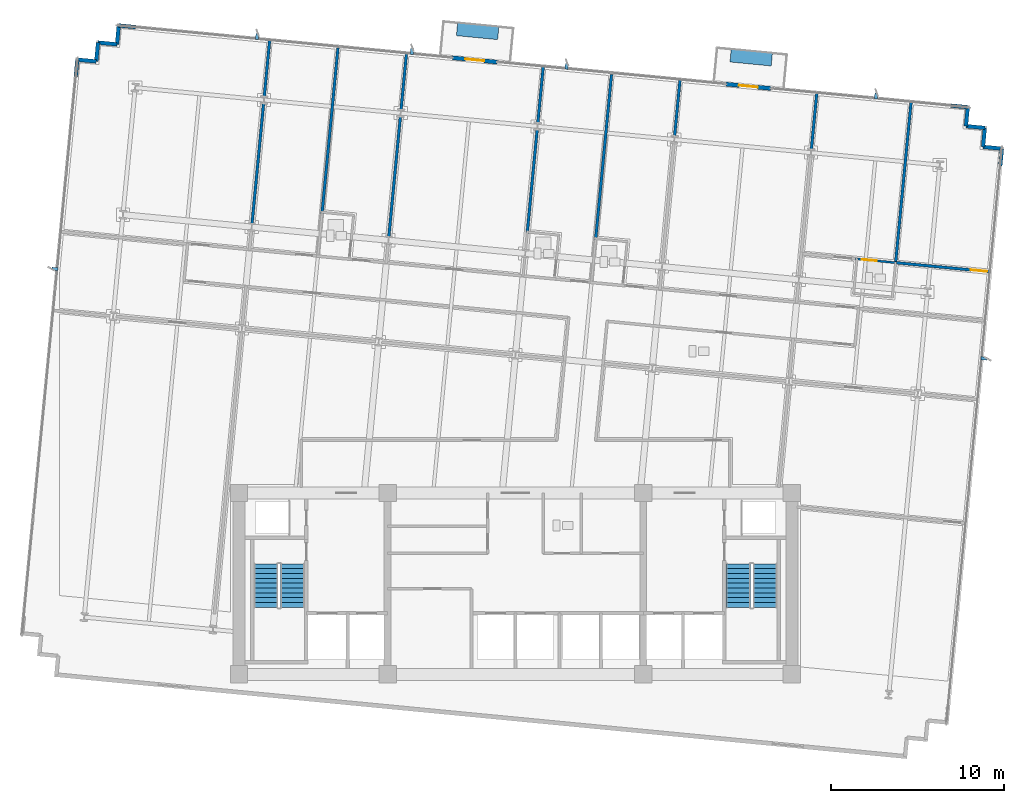
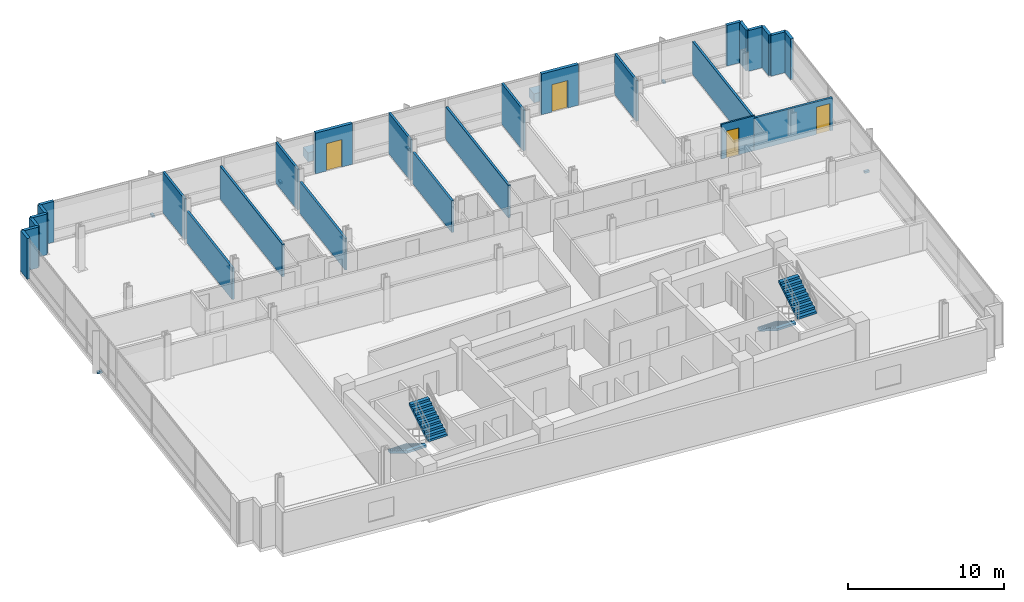
# One storey, part 13 of 17: 27 walls, 8 discrete accessories, 4 doors, 4 stair flights, 4 openings, 2 elements without a shape of their own.
"""IFC4 building model written with IfcOpenShell, lengths in metres."""

from ifc_helpers import new_model, si_unit, direction, frame, frame_2d, origin, origin_2d, place, context, subcontext, project, spatial, polyline, rectangle, outline, extrude, material, layer, layer_set, type_object, element, fill, aggregate, save


model = new_model("IFC4")

# Units and contexts
model_context = context("Model", 3, precision=1e-05, world=origin(), true_north=direction((0.0, 1.0)))
body_context = subcontext(model_context, "Body", "Model", "MODEL_VIEW")
ifc_project = project(units=[si_unit("LENGTHUNIT", "METRE"), si_unit("AREAUNIT", "SQUARE_METRE"), si_unit("VOLUMEUNIT", "CUBIC_METRE"), si_unit("PLANEANGLEUNIT", "RADIAN"), si_unit("MASSUNIT", "GRAM", prefix="KILO")], contexts=[model_context])

# Site, building, storey
site_placement = place(None, origin())
site = spatial("IfcSite", under=ifc_project, at=site_placement, CompositionType="ELEMENT")
building_placement = place(site_placement, origin())
building = spatial("IfcBuilding", under=site, at=building_placement, Name="Solmavex Isthmus Hotel", CompositionType="ELEMENT")
storey_placement = place(building_placement, frame((0.0, 0.0, 173.85009765625)))
storey = spatial("IfcBuildingStorey", under=building, at=storey_placement, Name="L47", CompositionType="ELEMENT", Elevation=173.85009765625)

# Wall, opening, door
ifc_material_1 = material(Name="Precast Concrete C40/50", Category="concrete")
ifc_layer_1 = layer(ifc_material_1, 0.25)
ifc_layer_set_1 = layer_set([ifc_layer_1], Name="Precast Concrete C40/50")
wall_type_1 = type_object("IfcWallType", Name="EW-TWR-250", PredefinedType="STANDARD", material=ifc_layer_set_1)
wall_1_placement = place(storey_placement, frame((-3.64404296875, 22.698974609375, 0.0), z_axis=(0.0, 0.0, 1.0), x_axis=(0.995393186867, -0.095877022999, 0.0)))
wall_1 = element("IfcWall", 1, at=wall_1_placement, inside=storey, type_object=wall_type_1, Name="Exterior Balcony Door Wall L47-2", PredefinedType="STANDARD", context=body_context, shape_type="SweptSolid", body=[
    extrude(rectangle(XDim=2.599853515625, YDim=0.239990234375, at=frame_2d((1.2998046875, 0.0))), origin(), (0.0, 0.0, 1.0), 3.18994140625),
])
opening_1_placement = place(wall_1_placement, frame((0.75, 0.0, 0.0)))
opening_1 = element("IfcOpeningElement", 2, at=opening_1_placement, cuts=wall_1, Name="Opening ED-02", PredefinedType="OPENING", context=body_context, shape_type="SweptSolid", body=[
    extrude(rectangle(XDim=1.10009765625, YDim=2.14990234375, at=frame_2d((0.550048828125, 1.074951171875))), frame((0.0, 0.1298828125, 0.0), z_axis=(0.0, -1.0, 0.0), x_axis=(1.0, 0.0, 0.0)), (0.0, 0.0, 1.0), 0.260009765625),
])
ifc_material_2 = material(Name="Aluminium alloy 6063-T6", Category="aluminium")
door_type_1 = type_object("IfcDoorType", Name="EDR-BALC-1100", OperationType="NOTDEFINED", PredefinedType="DOOR", material=ifc_material_2)
door_1_placement = place(opening_1_placement, origin())
door_1 = element("IfcDoor", 3, at=door_1_placement, inside=storey, type_object=door_type_1, Name="Balcony & Terrace Glazed Door L47-2", OperationType="SINGLE_SWING_RIGHT", OverallHeight=2.14990234375, OverallWidth=1.10009765625, PredefinedType="DOOR", context=body_context, shape_type="SweptSolid", body=[
    extrude(rectangle(XDim=1.10009765625, YDim=2.14990234375, at=frame_2d((0.550048828125, 1.074951171875))), frame((0.0, 0.02490234375, 0.0), z_axis=(0.0, -1.0, 0.0), x_axis=(1.0, 0.0, 0.0)), (0.0, 0.0, 1.0), 0.050048828125),
])
fill(opening_1, door_1)

wall_2_placement = place(storey_placement, frame((12.194580078125, 21.173828125, 0.0), z_axis=(0.0, 0.0, 1.0), x_axis=(0.995394049959, -0.095868061976, 0.0)))
wall_2 = element("IfcWall", 4, at=wall_2_placement, inside=storey, type_object=wall_type_1, Name="Exterior Balcony Door Wall L47-3", PredefinedType="STANDARD", context=body_context, shape_type="SweptSolid", body=[
    extrude(rectangle(XDim=2.60009765625, YDim=0.239990234375, at=frame_2d((1.300048828125, 0.0))), origin(), (0.0, 0.0, 1.0), 3.18994140625),
])
opening_2_placement = place(wall_2_placement, frame((0.75, 0.0, 0.0)))
opening_2 = element("IfcOpeningElement", 5, at=opening_2_placement, cuts=wall_2, Name="Opening ED-02", PredefinedType="OPENING", context=body_context, shape_type="SweptSolid", body=[
    extrude(rectangle(XDim=1.10009765625, YDim=2.14990234375, at=frame_2d((0.550048828125, 1.074951171875))), frame((0.0, 0.1298828125, 0.0), z_axis=(0.0, -1.0, 0.0), x_axis=(1.0, 0.0, 0.0)), (0.0, 0.0, 1.0), 0.260009765625),
])
door_2_placement = place(opening_2_placement, origin())
door_2 = element("IfcDoor", 6, at=door_2_placement, inside=storey, type_object=door_type_1, Name="Balcony & Terrace Glazed Door L47-3", OperationType="SINGLE_SWING_LEFT", OverallHeight=2.14990234375, OverallWidth=1.10009765625, PredefinedType="DOOR", context=body_context, shape_type="SweptSolid", body=[
    extrude(rectangle(XDim=1.10009765625, YDim=2.14990234375, at=frame_2d((0.550048828125, 1.074951171875))), frame((0.0, 0.02490234375, 0.0), z_axis=(0.0, -1.0, 0.0), x_axis=(1.0, 0.0, 0.0)), (0.0, 0.0, 1.0), 0.050048828125),
])
fill(opening_2, door_2)

# Walls
wall_3_placement = place(storey_placement, frame((-25.46142578125, 21.60498046875, 0.0), z_axis=(0.0, 0.0, 1.0), x_axis=(0.095937974524, 0.995387314086, 0.0)))
element("IfcWall", 7, at=wall_3_placement, inside=storey, type_object=wall_type_1, Name="Serrated Corner Facade Panel L47-07", PredefinedType="STANDARD", context=body_context, shape_type="SweptSolid", body=[
    extrude(rectangle(XDim=0.989990234375, YDim=0.219970703125, at=frame_2d((0.4951171875, 0.0))), origin(), (0.0, 0.0, 1.0), 3.18994140625),
])
for number, where, z_axis, x_axis, name in (
    (8, (-25.366455078125, 22.59033203125, 0.0), (0.0, 0.0, 1.0), (0.995414313875, -0.095657429048, 0.0), "Serrated Corner Facade Panel L47-08"),
    (9, (-24.271484375, 22.485107421875, 0.0), (0.0, 0.0, 1.0), (0.095657429048, 0.995414313875, 0.0), "Serrated Corner Facade Panel L47-09"),
    (10, (-24.166259765625, 23.580078125, 0.0), (0.0, 0.0, 1.0), (0.995393156894, -0.095877334176, 0.0), "Serrated Corner Facade Panel L47-10"),
    (11, (-23.0712890625, 23.474609375, 0.0), (0.0, 0.0, 1.0), (0.095877334176, 0.995393156894, 0.0), "Serrated Corner Facade Panel L47-11"),
):
    element("IfcWall", number, at=place(storey_placement, frame(where, z_axis=z_axis, x_axis=x_axis)), inside=storey, type_object=wall_type_1, Name=name, PredefinedType="STANDARD", context=body_context, shape_type="SweptSolid", body=[
        extrude(rectangle(XDim=1.10009765625, YDim=0.219970703125, at=frame_2d((0.550048828125, 0.0))), origin(), (0.0, 0.0, 1.0), 3.18994140625),
    ])
for number, where, z_axis, x_axis, name in (
    (12, (-22.9658203125, 24.569580078125, 0.0), (0.0, 0.0, 1.0), (0.995387314086, -0.095937974524, 0.0), "Serrated Corner Facade Panel L47-12"),
    (13, (25.201416015625, 19.931396484375, 0.0), (0.0, 0.0, 1.0), (0.99541083642, -0.095693608655, 0.0), "Serrated Corner Facade Panel L47-14"),
):
    element("IfcWall", number, at=place(storey_placement, frame(where, z_axis=z_axis, x_axis=x_axis)), inside=storey, type_object=wall_type_1, Name=name, PredefinedType="STANDARD", context=body_context, shape_type="SweptSolid", body=[
        extrude(rectangle(XDim=0.989990234375, YDim=0.219970703125, at=frame_2d((0.4951171875, 0.0))), origin(), (0.0, 0.0, 1.0), 3.18994140625),
    ])
wall_4_placement = place(storey_placement, frame((26.186767578125, 19.836669921875, 0.0), z_axis=(0.0, 0.0, 1.0), x_axis=(-0.095657429048, -0.995414313875, 0.0)))
element("IfcWall", 14, at=wall_4_placement, inside=storey, type_object=wall_type_1, Name="Serrated Corner Facade Panel L47-15", PredefinedType="STANDARD", context=body_context, shape_type="SweptSolid", body=[
    extrude(rectangle(XDim=1.10009765625, YDim=0.219970703125, at=frame_2d((0.550048828125, 0.0))), origin(), (0.0, 0.0, 1.0), 3.18994140625),
])
wall_5_placement = place(storey_placement, frame((26.08154296875, 18.74169921875, 0.0), z_axis=(0.0, 0.0, 1.0), x_axis=(0.995391116058, -0.095898519656, 0.0)))
element("IfcWall", 15, at=wall_5_placement, inside=storey, type_object=wall_type_1, Name="Serrated Corner Facade Panel L47-16", PredefinedType="STANDARD", context=body_context, shape_type="SweptSolid", body=[
    extrude(rectangle(XDim=1.099853515625, YDim=0.219970703125, at=frame_2d((0.5498046875, 0.0))), origin(), (0.0, 0.0, 1.0), 3.18994140625),
])
wall_6_placement = place(storey_placement, frame((27.17626953125, 18.63623046875, 0.0), z_axis=(0.0, 0.0, 1.0), x_axis=(-0.095657429048, -0.995414313875, 0.0)))
element("IfcWall", 16, at=wall_6_placement, inside=storey, type_object=wall_type_1, Name="Serrated Corner Facade Panel L47-17", PredefinedType="STANDARD", context=body_context, shape_type="SweptSolid", body=[
    extrude(rectangle(XDim=1.10009765625, YDim=0.219970703125, at=frame_2d((0.550048828125, 0.0))), origin(), (0.0, 0.0, 1.0), 3.18994140625),
])
wall_7_placement = place(storey_placement, frame((27.071044921875, 17.541259765625, 0.0), z_axis=(0.0, 0.0, 1.0), x_axis=(0.995391116058, -0.095898519656, 0.0)))
element("IfcWall", 17, at=wall_7_placement, inside=storey, type_object=wall_type_1, Name="Serrated Corner Facade Panel L47-18", PredefinedType="STANDARD", context=body_context, shape_type="SweptSolid", body=[
    extrude(rectangle(XDim=1.099853515625, YDim=0.219970703125, at=frame_2d((0.5498046875, 0.0))), origin(), (0.0, 0.0, 1.0), 3.18994140625),
])
wall_8_placement = place(storey_placement, frame((28.165771484375, 17.435791015625, 0.0), z_axis=(0.0, 0.0, 1.0), x_axis=(-0.095693608655, -0.99541083642, 0.0)))
element("IfcWall", 18, at=wall_8_placement, inside=storey, type_object=wall_type_1, Name="Serrated Corner Facade Panel L47-19", PredefinedType="STANDARD", context=body_context, shape_type="SweptSolid", body=[
    extrude(rectangle(XDim=0.989990234375, YDim=0.219970703125, at=frame_2d((0.4951171875, 0.0))), origin(), (0.0, 0.0, 1.0), 3.18994140625),
])
ifc_material_3 = material(Name="Gypsum plasterboard lining", Category="gypsum")
ifc_layer_2 = layer(ifc_material_3, 0.159912109375)
ifc_layer_set_2 = layer_set([ifc_layer_2], Name="Gypsum plasterboard lining")
wall_type_2 = type_object("IfcWallType", Name="IW-COMP-160", PredefinedType="PARTITIONING", material=ifc_layer_set_2)
wall_9_placement = place(storey_placement, frame((-14.57958984375, 20.0791015625, 0.0), z_axis=(0.0, 0.0, 1.0), x_axis=(-0.095849846802, -0.995395804124, 0.0)))
element("IfcWall", 19, at=wall_9_placement, inside=storey, type_object=wall_type_2, Name="Interior Partition Wall W-L47-P027", PredefinedType="PARTITIONING", context=body_context, shape_type="SweptSolid", body=[
    extrude(rectangle(XDim=7.040283203125, YDim=0.159912109375, at=frame_2d((3.52001953125, 0.0))), origin(), (0.0, 0.0, 1.0), 2.4794921875),
])
wall_10_placement = place(storey_placement, frame((-14.225341796875, 23.758056640625, 0.0), z_axis=(0.0, 0.0, 1.0), x_axis=(-0.095859866796, -0.995394839216, 0.0)))
element("IfcWall", 20, at=wall_10_placement, inside=storey, type_object=wall_type_2, Name="Interior Partition Wall W-L47-P028", PredefinedType="PARTITIONING", context=body_context, shape_type="SweptSolid", body=[
    extrude(rectangle(XDim=3.343994140625, YDim=0.159912109375, at=frame_2d((1.671875, 0.0))), origin(), (0.0, 0.0, 1.0), 3.18994140625),
])
wall_11_placement = place(storey_placement, frame((-10.277099609375, 23.25732421875, 0.0), z_axis=(0.0, 0.0, 1.0), x_axis=(-0.09586164433, -0.995394668032, 0.0)))
element("IfcWall", 21, at=wall_11_placement, inside=storey, type_object=wall_type_2, Name="Interior Partition Wall W-L47-P030", PredefinedType="PARTITIONING", context=body_context, shape_type="SweptSolid", body=[
    extrude(rectangle(XDim=9.632080078125, YDim=0.159912109375, at=frame_2d((4.81591796875, 0.0))), origin(), (0.0, 0.0, 1.0), 2.557373046875),
])
wall_12_placement = place(storey_placement, frame((-6.66015625, 19.31640625, 0.0), z_axis=(0.0, 0.0, 1.0), x_axis=(-0.095853155488, -0.995395485515, 0.0)))
element("IfcWall", 22, at=wall_12_placement, inside=storey, type_object=wall_type_2, Name="Interior Partition Wall W-L47-P035", PredefinedType="PARTITIONING", context=body_context, shape_type="SweptSolid", body=[
    extrude(rectangle(XDim=7.0400390625, YDim=0.159912109375, at=frame_2d((3.52001953125, 0.0))), origin(), (0.0, 0.0, 1.0), 2.4794921875),
])
wall_13_placement = place(storey_placement, frame((-6.305908203125, 22.995361328125, 0.0), z_axis=(0.0, 0.0, 1.0), x_axis=(-0.095859866796, -0.995394839216, 0.0)))
element("IfcWall", 23, at=wall_13_placement, inside=storey, type_object=wall_type_2, Name="Interior Partition Wall W-L47-P036", PredefinedType="PARTITIONING", context=body_context, shape_type="SweptSolid", body=[
    extrude(rectangle(XDim=3.343994140625, YDim=0.159912109375, at=frame_2d((1.671875, 0.0))), origin(), (0.0, 0.0, 1.0), 3.18994140625),
])
wall_14_placement = place(storey_placement, frame((1.259033203125, 18.553955078125, 0.0), z_axis=(0.0, 0.0, 1.0), x_axis=(-0.095826863488, -0.995398016993, 0.0)))
element("IfcWall", 24, at=wall_14_placement, inside=storey, type_object=wall_type_2, Name="Interior Partition Wall W-L47-P037", PredefinedType="PARTITIONING", context=body_context, shape_type="SweptSolid", body=[
    extrude(rectangle(XDim=6.055908203125, YDim=0.159912109375, at=frame_2d((3.02783203125, 0.0))), origin(), (0.0, 0.0, 1.0), 2.4794921875),
])
wall_15_placement = place(storey_placement, frame((1.61328125, 22.23291015625, 0.0), z_axis=(0.0, 0.0, 1.0), x_axis=(-0.095787528641, -0.99540180297, 0.0)))
element("IfcWall", 25, at=wall_15_placement, inside=storey, type_object=wall_type_2, Name="Interior Partition Wall W-L47-P038", PredefinedType="PARTITIONING", context=body_context, shape_type="SweptSolid", body=[
    extrude(rectangle(XDim=3.343994140625, YDim=0.159912109375, at=frame_2d((1.671875, 0.0))), origin(), (0.0, 0.0, 1.0), 3.18994140625),
])
wall_16_placement = place(storey_placement, frame((5.5615234375, 21.732177734375, 0.0), z_axis=(0.0, 0.0, 1.0), x_axis=(-0.09583653035, -0.995397086318, 0.0)))
element("IfcWall", 26, at=wall_16_placement, inside=storey, type_object=wall_type_2, Name="Interior Partition Wall W-L47-P043", PredefinedType="PARTITIONING", context=body_context, shape_type="SweptSolid", body=[
    extrude(rectangle(XDim=9.632080078125, YDim=0.159912109375, at=frame_2d((4.81591796875, 0.0))), origin(), (0.0, 0.0, 1.0), 2.557373046875),
])
for number, where, z_axis, x_axis, name in (
    (27, (9.53271484375, 21.470458984375, 0.0), (0.0, 0.0, 1.0), (-0.095859866796, -0.995394839216, 0.0), "Interior Partition Wall W-L47-P049"),
    (28, (17.4521484375, 20.707763671875, 0.0), (0.0, 0.0, 1.0), (-0.095859866796, -0.995394839216, 0.0), "Interior Partition Wall W-L47-P053"),
):
    element("IfcWall", number, at=place(storey_placement, frame(where, z_axis=z_axis, x_axis=x_axis)), inside=storey, type_object=wall_type_2, Name=name, PredefinedType="PARTITIONING", context=body_context, shape_type="SweptSolid", body=[
        extrude(rectangle(XDim=3.343994140625, YDim=0.159912109375, at=frame_2d((1.671875, 0.0))), origin(), (0.0, 0.0, 1.0), 3.18994140625),
    ])

# Wall, opening, door
wall_17_placement = place(storey_placement, frame((21.97119140625, 10.83935546875, 0.0), z_axis=(0.0, 0.0, 1.0), x_axis=(0.995393338962, -0.095875443934, 0.0)))
wall_17 = element("IfcWall", 29, at=wall_17_placement, inside=storey, type_object=wall_type_2, Name="Interior Partition Wall W-L47-P055", PredefinedType="PARTITIONING", context=body_context, shape_type="SweptSolid", body=[
    extrude(rectangle(XDim=5.56396484375, YDim=0.159912109375, at=frame_2d((2.781982421875, 0.0))), origin(), (0.0, 0.0, 1.0), 2.557373046875),
])
opening_3_placement = place(wall_17_placement, frame((4.404052734375, 0.0, 0.0)))
opening_3 = element("IfcOpeningElement", 30, at=opening_3_placement, cuts=wall_17, Name="Opening ID-C095", PredefinedType="OPENING", context=body_context, shape_type="SweptSolid", body=[
    extrude(rectangle(XDim=0.949951171875, YDim=2.14990234375, at=frame_2d((0.47509765625, 1.074951171875))), frame((0.0, 0.08984375, 0.0), z_axis=(0.0, -1.0, 0.0), x_axis=(1.0, 0.0, 0.0)), (0.0, 0.0, 1.0), 0.179931640625),
])
ifc_material_4 = material(Name="Hardwood timber", Category="wood")
door_type_2 = type_object("IfcDoorType", Name="IDR-FD60-0950", OperationType="NOTDEFINED", PredefinedType="DOOR", material=ifc_material_4)
door_3_placement = place(opening_3_placement, origin())
door_3 = element("IfcDoor", 31, at=door_3_placement, inside=storey, type_object=door_type_2, Name="Ambassador Panorama Suite Panorama Sitting Study Door L47-13", OperationType="SINGLE_SWING_LEFT", OverallHeight=2.14990234375, OverallWidth=0.949951171875, PredefinedType="DOOR", context=body_context, shape_type="SweptSolid", body=[
    extrude(rectangle(XDim=0.949951171875, YDim=2.14990234375, at=frame_2d((0.47509765625, 1.074951171875))), frame((0.0, 0.02490234375, 0.0), z_axis=(0.0, -1.0, 0.0), x_axis=(1.0, 0.0, 0.0)), (0.0, 0.0, 1.0), 0.050048828125),
])
fill(opening_3, door_3)

# Wall
wall_18_placement = place(storey_placement, frame((22.910888671875, 20.18212890625, 0.0), z_axis=(0.0, 0.0, 1.0), x_axis=(-0.095845110289, -0.995396260207, 0.0)))
element("IfcWall", 32, at=wall_18_placement, inside=storey, type_object=wall_type_2, Name="Interior Partition Wall W-L47-P060", PredefinedType="PARTITIONING", context=body_context, shape_type="SweptSolid", body=[
    extrude(rectangle(XDim=9.429931640625, YDim=0.159912109375, at=frame_2d((4.71484375, 0.0))), origin(), (0.0, 0.0, 1.0), 2.557373046875),
])

# Wall, opening, door
ifc_layer_3 = layer(ifc_material_3, 0.1201171875)
ifc_layer_set_3 = layer_set([ifc_layer_3], Name="Gypsum plasterboard lining")
wall_type_3 = type_object("IfcWallType", Name="IW-PART-120", PredefinedType="PARTITIONING", material=ifc_layer_set_3)
wall_19_placement = place(storey_placement, frame((22.05078125, 10.83154296875, 0.0), z_axis=(0.0, 0.0, 1.0), x_axis=(-0.995398273854, 0.095824195322, 0.0)))
wall_19 = element("IfcWall", 33, at=wall_19_placement, inside=storey, type_object=wall_type_3, Name="Interior Partition Wall W-L47-P061", PredefinedType="PARTITIONING", context=body_context, shape_type="SweptSolid", body=[
    extrude(rectangle(XDim=2.3720703125, YDim=0.1201171875, at=frame_2d((1.18603515625, 0.0))), origin(), (0.0, 0.0, 1.0), 2.718017578125),
])
opening_4_placement = place(wall_19_placement, frame((1.14599609375, 0.0, 0.0)))
opening_4 = element("IfcOpeningElement", 34, at=opening_4_placement, cuts=wall_19, Name="Opening ID-U085", PredefinedType="OPENING", context=body_context, shape_type="SweptSolid", body=[
    extrude(rectangle(XDim=0.85009765625, YDim=2.10009765625, at=frame_2d((0.425048828125, 1.050048828125))), frame((0.0, 0.070068359375, 0.0), z_axis=(0.0, -1.0, 0.0), x_axis=(1.0, 0.0, 0.0)), (0.0, 0.0, 1.0), 0.14013671875),
])
door_type_3 = type_object("IfcDoorType", Name="IDR-UNR-0850", OperationType="NOTDEFINED", PredefinedType="DOOR", material=ifc_material_4)
door_4_placement = place(opening_4_placement, frame((0.85009765625, 0.0, 0.0), z_axis=(0.0, 0.0, 1.0), x_axis=(-1.0, 0.0, 0.0)))
door_4 = element("IfcDoor", 35, at=door_4_placement, inside=storey, type_object=door_type_3, Name="En-suite Bathroom Door L47-14", OperationType="SINGLE_SWING_RIGHT", OverallHeight=2.10009765625, OverallWidth=0.85009765625, PredefinedType="DOOR", context=body_context, shape_type="SweptSolid", body=[
    extrude(rectangle(XDim=0.85009765625, YDim=2.10009765625, at=frame_2d((0.425048828125, 1.050048828125))), frame((0.0, 0.02490234375, 0.0), z_axis=(0.0, -1.0, 0.0), x_axis=(1.0, 0.0, 0.0)), (0.0, 0.0, 1.0), 0.050048828125),
])
fill(opening_4, door_4)

# Stair, stair flights
ifc_material_5 = material(Name="Concrete C40/50", Category="concrete")
stair_type_1 = type_object("IfcStairType", Name="STR-ST-1", PredefinedType="HALF_TURN_STAIR", material=ifc_material_5)
stair_1_placement = place(storey_placement, origin())
stair_1 = element("IfcStair", 36, at=stair_1_placement, inside=storey, type_object=stair_type_1, Name="L47 Protected Exit Stair ST-1", PredefinedType="HALF_TURN_STAIR")
stair_flight_type_1 = type_object("IfcStairFlightType", Name="SFL-ST-1", PredefinedType="STRAIGHT", material=ifc_material_5)
stair_flight_1_placement = place(storey_placement, frame((-14.449951171875, -6.60009765625, 0.0), z_axis=(0.0, 0.0, 1.0), x_axis=(0.0, -1.0, 0.0)))
stair_flight_1 = element("IfcStairFlight", 37, at=stair_flight_1_placement, type_object=stair_flight_type_1, Name="ST-1 flight 1", NumberOfRisers=10, NumberOfTreads=9, PredefinedType="STRAIGHT", RiserHeight=0.1725, TreadLength=0.28, context=body_context, shape_type="SweptSolid", body=[
    extrude(outline(polyline([(0.0, 0.0), (0.0, 0.172607421875), (0.280029296875, 0.172607421875), (0.280029296875, 0.344970703125), (0.56005859375, 0.344970703125), (0.56005859375, 0.517578125), (0.840087890625, 0.517578125), (0.840087890625, 0.68994140625), (1.1201171875, 0.68994140625), (1.1201171875, 0.862548828125), (1.39990234375, 0.862548828125), (1.39990234375, 1.034912109375), (1.679931640625, 1.034912109375), (1.679931640625, 1.20751953125), (1.9599609375, 1.20751953125), (1.9599609375, 1.3798828125), (2.239990234375, 1.3798828125), (2.239990234375, 1.552490234375), (2.52001953125, 1.552490234375), (2.52001953125, 1.72509765625), (2.52001953125, 1.37646484375), (0.285888671875, 0.0), (0.0, 0.0)])), frame((0.0, 0.699951171875, 0.0), z_axis=(0.0, -1.0, 0.0), x_axis=(1.0, 0.0, 0.0)), (0.0, 0.0, 1.0), 1.39990234375),
])
stair_flight_2_placement = place(storey_placement, frame((-12.89990234375, -9.1201171875, 1.724853515625), z_axis=(0.0, 0.0, 1.0), x_axis=(0.0, 1.0, 0.0)))
stair_flight_2 = element("IfcStairFlight", 38, at=stair_flight_2_placement, type_object=stair_flight_type_1, Name="ST-1 flight 2", NumberOfRisers=10, NumberOfTreads=9, PredefinedType="STRAIGHT", RiserHeight=0.1725, TreadLength=0.28, context=body_context, shape_type="SweptSolid", body=[
    extrude(outline(polyline([(0.0, 0.0), (0.0, 0.172607421875), (0.280029296875, 0.172607421875), (0.280029296875, 0.344970703125), (0.56005859375, 0.344970703125), (0.56005859375, 0.517578125), (0.840087890625, 0.517578125), (0.840087890625, 0.68994140625), (1.1201171875, 0.68994140625), (1.1201171875, 0.862548828125), (1.39990234375, 0.862548828125), (1.39990234375, 1.034912109375), (1.679931640625, 1.034912109375), (1.679931640625, 1.20751953125), (1.9599609375, 1.20751953125), (1.9599609375, 1.3798828125), (2.239990234375, 1.3798828125), (2.239990234375, 1.552490234375), (2.52001953125, 1.552490234375), (2.52001953125, 1.72509765625), (2.52001953125, 1.37646484375), (0.285888671875, 0.0), (0.0, 0.0)])), frame((0.0, 0.699951171875, 0.0), z_axis=(0.0, -1.0, 0.0), x_axis=(1.0, 0.0, 0.0)), (0.0, 0.0, 1.0), 1.39990234375),
])
aggregate(stair_1, [stair_flight_1, stair_flight_2])

stair_type_2 = type_object("IfcStairType", Name="STR-ST-2", PredefinedType="HALF_TURN_STAIR", material=ifc_material_5)
stair_2_placement = place(storey_placement, origin())
stair_2 = element("IfcStair", 39, at=stair_2_placement, inside=storey, type_object=stair_type_2, Name="L47 Protected Exit Stair ST-2", PredefinedType="HALF_TURN_STAIR")
stair_flight_type_2 = type_object("IfcStairFlightType", Name="SFL-ST-2", PredefinedType="STRAIGHT", material=ifc_material_5)
stair_flight_3_placement = place(storey_placement, frame((12.89990234375, -6.60009765625, 0.0), z_axis=(0.0, 0.0, 1.0), x_axis=(0.0, -1.0, 0.0)))
stair_flight_3 = element("IfcStairFlight", 40, at=stair_flight_3_placement, type_object=stair_flight_type_2, Name="ST-2 flight 1", NumberOfRisers=10, NumberOfTreads=9, PredefinedType="STRAIGHT", RiserHeight=0.1725, TreadLength=0.28, context=body_context, shape_type="SweptSolid", body=[
    extrude(outline(polyline([(0.0, 0.0), (0.0, 0.172607421875), (0.280029296875, 0.172607421875), (0.280029296875, 0.344970703125), (0.56005859375, 0.344970703125), (0.56005859375, 0.517578125), (0.840087890625, 0.517578125), (0.840087890625, 0.68994140625), (1.1201171875, 0.68994140625), (1.1201171875, 0.862548828125), (1.39990234375, 0.862548828125), (1.39990234375, 1.034912109375), (1.679931640625, 1.034912109375), (1.679931640625, 1.20751953125), (1.9599609375, 1.20751953125), (1.9599609375, 1.3798828125), (2.239990234375, 1.3798828125), (2.239990234375, 1.552490234375), (2.52001953125, 1.552490234375), (2.52001953125, 1.72509765625), (2.52001953125, 1.37646484375), (0.285888671875, 0.0), (0.0, 0.0)])), frame((0.0, 0.699951171875, 0.0), z_axis=(0.0, -1.0, 0.0), x_axis=(1.0, 0.0, 0.0)), (0.0, 0.0, 1.0), 1.39990234375),
])
stair_flight_4_placement = place(storey_placement, frame((14.449951171875, -9.1201171875, 1.724853515625), z_axis=(0.0, 0.0, 1.0), x_axis=(0.0, 1.0, 0.0)))
stair_flight_4 = element("IfcStairFlight", 41, at=stair_flight_4_placement, type_object=stair_flight_type_2, Name="ST-2 flight 2", NumberOfRisers=10, NumberOfTreads=9, PredefinedType="STRAIGHT", RiserHeight=0.1725, TreadLength=0.28, context=body_context, shape_type="SweptSolid", body=[
    extrude(outline(polyline([(0.0, 0.0), (0.0, 0.172607421875), (0.280029296875, 0.172607421875), (0.280029296875, 0.344970703125), (0.56005859375, 0.344970703125), (0.56005859375, 0.517578125), (0.840087890625, 0.517578125), (0.840087890625, 0.68994140625), (1.1201171875, 0.68994140625), (1.1201171875, 0.862548828125), (1.39990234375, 0.862548828125), (1.39990234375, 1.034912109375), (1.679931640625, 1.034912109375), (1.679931640625, 1.20751953125), (1.9599609375, 1.20751953125), (1.9599609375, 1.3798828125), (2.239990234375, 1.3798828125), (2.239990234375, 1.552490234375), (2.52001953125, 1.552490234375), (2.52001953125, 1.72509765625), (2.52001953125, 1.37646484375), (0.285888671875, 0.0), (0.0, 0.0)])), frame((0.0, 0.699951171875, 0.0), z_axis=(0.0, -1.0, 0.0), x_axis=(1.0, 0.0, 0.0)), (0.0, 0.0, 1.0), 1.39990234375),
])
aggregate(stair_2, [stair_flight_3, stair_flight_4])

# Discrete accessories
ifc_material_6 = material(Name="Steel ASTM A572 Grade 50", Category="steel")
discrete_accessory_type_1 = type_object("IfcDiscreteAccessoryType", Name="ACC-BRK-FIN", PredefinedType="BRACKET", material=ifc_material_6)
for number, where, z_axis, x_axis, name in (
    (42, (-14.950439453125, 23.92822265625, -0.169921875), (0.0, 0.0, 1.0), (0.09584575252, 0.995396198367, 0.0), "Facade Fin Support Bracket L47-N1"),
    (43, (-5.99169921875, 23.065673828125, -0.169921875), (0.0, 0.0, 1.0), (0.09584575252, 0.995396198367, 0.0), "Facade Fin Support Bracket L47-N2"),
    (44, (2.966796875, 22.203125, -0.169921875), (0.0, 0.0, 1.0), (0.09584575252, 0.995396198367, 0.0), "Facade Fin Support Bracket L47-N3"),
    (45, (20.8837890625, 20.477783203125, -0.169921875), (0.0, 0.0, 1.0), (0.09584575252, 0.995396198367, 0.0), "Facade Fin Support Bracket L47-N4"),
    (46, (-26.664306640625, 10.468994140625, -0.169921875), (0.0, 0.0, 1.0), (-0.995396198367, 0.09584575252, 0.0), "Facade Fin Support Bracket L47-W1"),
    (47, (27.126953125, 5.28955078125, -0.169921875), (0.0, 0.0, 1.0), (0.995396198367, -0.09584575252, 0.0), "Facade Fin Support Bracket L47-E1"),
):
    element("IfcDiscreteAccessory", number, at=place(storey_placement, frame(where, z_axis=z_axis, x_axis=x_axis)), inside=storey, type_object=discrete_accessory_type_1, Name=name, PredefinedType="BRACKET", context=body_context, shape_type="SweptSolid", body=[
        extrude(rectangle(XDim=0.340087890625, YDim=0.179931640625, at=origin_2d()), origin(), (0.0, 0.0, 1.0), 0.159912109375),
    ])
discrete_accessory_type_2 = type_object("IfcDiscreteAccessoryType", Name="ACC-PLN-BALC", PredefinedType="USERDEFINED", material=ifc_material_1)
for number, where, z_axis, x_axis, name in (
    (48, (-2.18994140625, 24.236572265625, 0.0), (0.0, 0.0, 1.0), (0.995396198367, -0.09584575252, 0.0), "Tree-Balcony Architectural Planter L47-B1"),
    (49, (13.648681640625, 22.711669921875, 0.0), (0.0, 0.0, 1.0), (0.995396198367, -0.09584575252, 0.0), "Tree-Balcony Architectural Planter L47-B2"),
):
    element("IfcDiscreteAccessory", number, at=place(storey_placement, frame(where, z_axis=z_axis, x_axis=x_axis)), inside=storey, type_object=discrete_accessory_type_2, Name=name, ObjectType="PLANTER", PredefinedType="USERDEFINED", context=body_context, shape_type="SweptSolid", body=[
        extrude(rectangle(XDim=2.39990234375, YDim=0.75, at=origin_2d()), origin(), (0.0, 0.0, 1.0), 0.699951171875),
    ])

save(model, "model.ifc")
